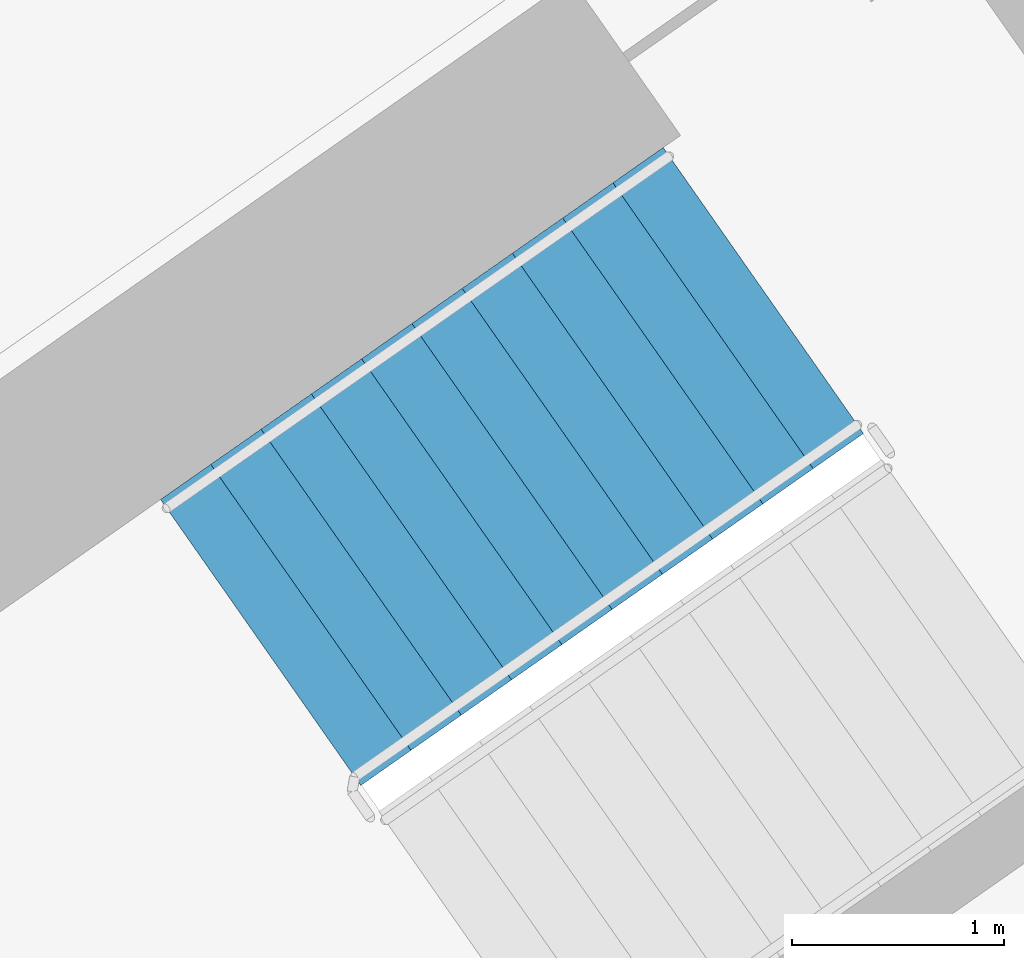
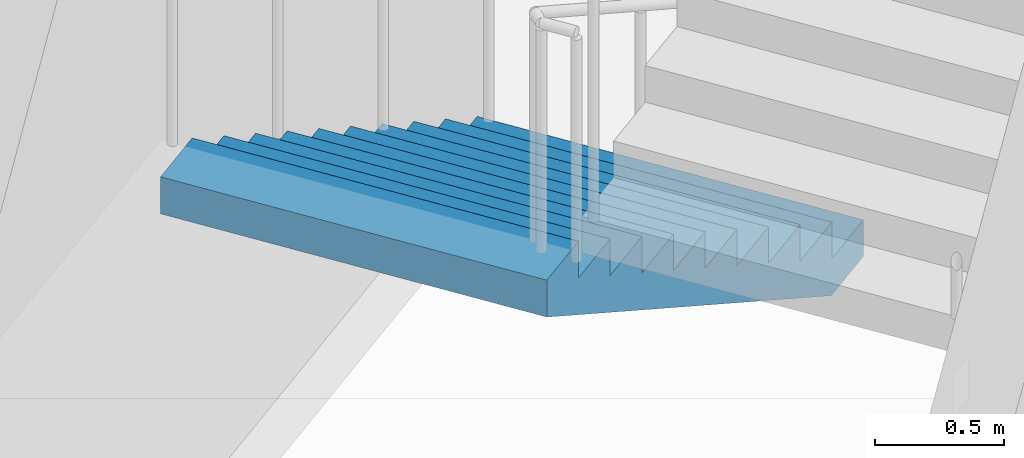
# One storey, part 14 of 31: 1 stair flight, 1 element without a shape of its own.
"""IFC4 building model written with IfcOpenShell, lengths in metres."""

from ifc_helpers import new_model, si_unit, direction, frame, origin, place, context, subcontext, project, spatial, faceted_brep, material, type_object, element, aggregate, save


model = new_model("IFC4")

# Units and contexts
model_context = context("Model", 3, precision=1e-05, world=origin(), true_north=direction((0.0, 1.0)))
body_context = subcontext(model_context, "Body", "Model", "MODEL_VIEW")
ifc_project = project(units=[si_unit("LENGTHUNIT", "METRE"), si_unit("AREAUNIT", "SQUARE_METRE"), si_unit("VOLUMEUNIT", "CUBIC_METRE"), si_unit("PLANEANGLEUNIT", "RADIAN"), si_unit("MASSUNIT", "GRAM", prefix="KILO")], contexts=[model_context])

# Site, building, storey
site_placement = place(None, origin())
site = spatial("IfcSite", under=ifc_project, at=site_placement, CompositionType="ELEMENT")
building_placement = place(site_placement, origin())
building = spatial("IfcBuilding", under=site, at=building_placement, Name="Qamariyya Broadcast Tower", CompositionType="ELEMENT")
storey_placement = place(building_placement, frame((0.0, 0.0, 86.10009765625)))
storey = spatial("IfcBuildingStorey", under=building, at=storey_placement, Name="L18", CompositionType="ELEMENT", Elevation=86.10009765625)

# Stair, stair flight
ifc_material = material(Name="Concrete C50/60", Category="concrete")
stair_type = type_object("IfcStairType", Name="Exit stair 22 risers of 173 mm", PredefinedType="HALF_TURN_STAIR", material=ifc_material)
stair_placement = place(storey_placement, origin())
stair = element("IfcStair", 1, at=stair_placement, inside=storey, type_object=stair_type, Name="L18 Stair E2", PredefinedType="HALF_TURN_STAIR")
stair_flight_type = type_object("IfcStairFlightType", Name="Exit stair flight 11 risers of 173 mm", PredefinedType="STRAIGHT", material=ifc_material)
stair_flight_placement = place(storey_placement, frame((40.558837890625, -47.685302734375, 0.0), z_axis=(0.0, 0.0, 1.0), x_axis=(-0.819152044289, -0.573576436351, 0.0)))
stair_flight = element("IfcStairFlight", 2, at=stair_flight_placement, type_object=stair_flight_type, Name="ST-E2 flight 1", NumberOfRisers=11, NumberOfTreads=10, PredefinedType="STRAIGHT", RiserHeight=0.172727273, TreadLength=0.29, context=body_context, shape_type="Brep", body=[
    faceted_brep([(0.0, 0.824951171875, 0.0), (0.0, 0.824951171875, 0.172607421875), (0.2900390625, 0.824951171875, 0.172607421875), (0.2900390625, 0.824951171875, 0.345458984375), (0.580078125, 0.824951171875, 0.345458984375), (0.580078125, 0.824951171875, 0.51806640625), (0.8701171875, 0.824951171875, 0.51806640625), (0.8701171875, 0.824951171875, 0.69091796875), (1.159912109375, 0.824951171875, 0.69091796875), (1.159912109375, 0.824951171875, 0.863525390625), (1.449951171875, 0.824951171875, 0.863525390625), (1.449951171875, 0.824951171875, 1.036376953125), (1.739990234375, 0.824951171875, 1.036376953125), (1.739990234375, 0.824951171875, 1.208984375), (2.030029296875, 0.824951171875, 1.208984375), (2.030029296875, 0.824951171875, 1.3818359375), (2.320068359375, 0.824951171875, 1.3818359375), (2.320068359375, 0.824951171875, 1.554443359375), (2.610107421875, 0.824951171875, 1.554443359375), (2.610107421875, 0.824951171875, 1.727294921875), (2.89990234375, 0.824951171875, 1.727294921875), (2.89990234375, 0.824951171875, 1.552734375), (0.29296875, 0.824951171875, 0.0), (0.29296875, -0.824951171875, 0.0), (2.89990234375, -0.824951171875, 1.552734375), (2.89990234375, -0.824951171875, 1.727294921875), (2.610107421875, -0.824951171875, 1.727294921875), (2.610107421875, -0.824951171875, 1.554443359375), (2.320068359375, -0.824951171875, 1.554443359375), (2.320068359375, -0.824951171875, 1.3818359375), (2.030029296875, -0.824951171875, 1.3818359375), (2.030029296875, -0.824951171875, 1.208984375), (1.739990234375, -0.824951171875, 1.208984375), (1.739990234375, -0.824951171875, 1.036376953125), (1.449951171875, -0.824951171875, 1.036376953125), (1.449951171875, -0.824951171875, 0.863525390625), (1.159912109375, -0.824951171875, 0.863525390625), (1.159912109375, -0.824951171875, 0.69091796875), (0.8701171875, -0.824951171875, 0.69091796875), (0.8701171875, -0.824951171875, 0.51806640625), (0.580078125, -0.824951171875, 0.51806640625), (0.580078125, -0.824951171875, 0.345458984375), (0.2900390625, -0.824951171875, 0.345458984375), (0.2900390625, -0.824951171875, 0.172607421875), (0.0, -0.824951171875, 0.172607421875), (0.0, -0.824951171875, 0.0), (0.0, 0.10009765625, 0.0), (0.0, 0.086669921875, 0.0), (0.0, 0.0732421875, 0.0), (0.0, 0.06005859375, 0.0), (0.0, 0.046630859375, 0.0), (0.0, 0.033447265625, 0.0), (0.0, 0.02001953125, 0.0), (0.0, 0.006591796875, 0.0), (0.0, -0.006591796875, 0.0), (0.0, -0.02001953125, 0.0), (0.0, -0.033447265625, 0.0), (0.0, -0.046630859375, 0.0), (0.0, -0.06005859375, 0.0), (0.0, -0.0732421875, 0.0), (0.0, -0.086669921875, 0.0), (0.0, -0.10009765625, 0.0), (0.0, -0.10009765625, 0.172607421875), (0.0, -0.086669921875, 0.172607421875), (0.0, -0.0732421875, 0.172607421875), (0.0, -0.06005859375, 0.172607421875), (0.0, -0.046630859375, 0.172607421875), (0.0, -0.033447265625, 0.172607421875), (0.0, -0.02001953125, 0.172607421875), (0.0, -0.006591796875, 0.172607421875), (0.0, 0.006591796875, 0.172607421875), (0.0, 0.02001953125, 0.172607421875), (0.0, 0.033447265625, 0.172607421875), (0.0, 0.046630859375, 0.172607421875), (0.0, 0.06005859375, 0.172607421875), (0.0, 0.0732421875, 0.172607421875), (0.0, 0.086669921875, 0.172607421875), (0.0, 0.10009765625, 0.172607421875), (0.2900390625, -0.10009765625, 0.172607421875), (0.2900390625, -0.086669921875, 0.172607421875), (0.2900390625, -0.0732421875, 0.172607421875), (0.2900390625, -0.06005859375, 0.172607421875), (0.2900390625, -0.046630859375, 0.172607421875), (0.2900390625, -0.033447265625, 0.172607421875), (0.2900390625, -0.02001953125, 0.172607421875), (0.2900390625, -0.006591796875, 0.172607421875), (0.2900390625, 0.006591796875, 0.172607421875), (0.2900390625, 0.02001953125, 0.172607421875), (0.2900390625, 0.033447265625, 0.172607421875), (0.2900390625, 0.046630859375, 0.172607421875), (0.2900390625, 0.06005859375, 0.172607421875), (0.2900390625, 0.0732421875, 0.172607421875), (0.2900390625, 0.086669921875, 0.172607421875), (0.2900390625, 0.10009765625, 0.172607421875), (0.2900390625, -0.10009765625, 0.345458984375), (0.2900390625, -0.086669921875, 0.345458984375), (0.2900390625, -0.0732421875, 0.345458984375), (0.2900390625, -0.06005859375, 0.345458984375), (0.2900390625, -0.046630859375, 0.345458984375), (0.2900390625, -0.033447265625, 0.345458984375), (0.2900390625, -0.02001953125, 0.345458984375), (0.2900390625, -0.006591796875, 0.345458984375), (0.2900390625, 0.006591796875, 0.345458984375), (0.2900390625, 0.02001953125, 0.345458984375), (0.2900390625, 0.033447265625, 0.345458984375), (0.2900390625, 0.046630859375, 0.345458984375), (0.2900390625, 0.06005859375, 0.345458984375), (0.2900390625, 0.0732421875, 0.345458984375), (0.2900390625, 0.086669921875, 0.345458984375), (0.2900390625, 0.10009765625, 0.345458984375), (0.580078125, -0.10009765625, 0.345458984375), (0.580078125, -0.086669921875, 0.345458984375), (0.580078125, -0.0732421875, 0.345458984375), (0.580078125, -0.06005859375, 0.345458984375), (0.580078125, -0.046630859375, 0.345458984375), (0.580078125, -0.033447265625, 0.345458984375), (0.580078125, -0.02001953125, 0.345458984375), (0.580078125, -0.006591796875, 0.345458984375), (0.580078125, 0.006591796875, 0.345458984375), (0.580078125, 0.02001953125, 0.345458984375), (0.580078125, 0.033447265625, 0.345458984375), (0.580078125, 0.046630859375, 0.345458984375), (0.580078125, 0.06005859375, 0.345458984375), (0.580078125, 0.0732421875, 0.345458984375), (0.580078125, 0.086669921875, 0.345458984375), (0.580078125, 0.10009765625, 0.345458984375), (0.580078125, -0.10009765625, 0.51806640625), (0.580078125, -0.086669921875, 0.51806640625), (0.580078125, -0.0732421875, 0.51806640625), (0.580078125, -0.06005859375, 0.51806640625), (0.580078125, -0.046630859375, 0.51806640625), (0.580078125, -0.033447265625, 0.51806640625), (0.580078125, -0.02001953125, 0.51806640625), (0.580078125, -0.006591796875, 0.51806640625), (0.580078125, 0.006591796875, 0.51806640625), (0.580078125, 0.02001953125, 0.51806640625), (0.580078125, 0.033447265625, 0.51806640625), (0.580078125, 0.046630859375, 0.51806640625), (0.580078125, 0.06005859375, 0.51806640625), (0.580078125, 0.0732421875, 0.51806640625), (0.580078125, 0.086669921875, 0.51806640625), (0.580078125, 0.10009765625, 0.51806640625), (0.8701171875, -0.10009765625, 0.51806640625), (0.8701171875, -0.086669921875, 0.51806640625), (0.8701171875, -0.0732421875, 0.51806640625), (0.8701171875, -0.06005859375, 0.51806640625), (0.8701171875, -0.046630859375, 0.51806640625), (0.8701171875, -0.033447265625, 0.51806640625), (0.8701171875, -0.02001953125, 0.51806640625), (0.8701171875, -0.006591796875, 0.51806640625), (0.8701171875, 0.006591796875, 0.51806640625), (0.8701171875, 0.02001953125, 0.51806640625), (0.8701171875, 0.033447265625, 0.51806640625), (0.8701171875, 0.046630859375, 0.51806640625), (0.8701171875, 0.06005859375, 0.51806640625), (0.8701171875, 0.0732421875, 0.51806640625), (0.8701171875, 0.086669921875, 0.51806640625), (0.8701171875, 0.10009765625, 0.51806640625), (0.8701171875, -0.10009765625, 0.69091796875), (0.8701171875, -0.086669921875, 0.69091796875), (0.8701171875, -0.0732421875, 0.69091796875), (0.8701171875, -0.06005859375, 0.69091796875), (0.8701171875, -0.046630859375, 0.69091796875), (0.8701171875, -0.033447265625, 0.69091796875), (0.8701171875, -0.02001953125, 0.69091796875), (0.8701171875, -0.006591796875, 0.69091796875), (0.8701171875, 0.006591796875, 0.69091796875), (0.8701171875, 0.02001953125, 0.69091796875), (0.8701171875, 0.033447265625, 0.69091796875), (0.8701171875, 0.046630859375, 0.69091796875), (0.8701171875, 0.06005859375, 0.69091796875), (0.8701171875, 0.0732421875, 0.69091796875), (0.8701171875, 0.086669921875, 0.69091796875), (0.8701171875, 0.10009765625, 0.69091796875), (1.159912109375, -0.10009765625, 0.69091796875), (1.159912109375, -0.086669921875, 0.69091796875), (1.159912109375, -0.0732421875, 0.69091796875), (1.159912109375, -0.06005859375, 0.69091796875), (1.159912109375, -0.046630859375, 0.69091796875), (1.159912109375, -0.033447265625, 0.69091796875), (1.159912109375, -0.02001953125, 0.69091796875), (1.159912109375, -0.006591796875, 0.69091796875), (1.159912109375, 0.006591796875, 0.69091796875), (1.159912109375, 0.02001953125, 0.69091796875), (1.159912109375, 0.033447265625, 0.69091796875), (1.159912109375, 0.046630859375, 0.69091796875), (1.159912109375, 0.06005859375, 0.69091796875), (1.159912109375, 0.0732421875, 0.69091796875), (1.159912109375, 0.086669921875, 0.69091796875), (1.159912109375, 0.10009765625, 0.69091796875), (1.159912109375, -0.10009765625, 0.863525390625), (1.159912109375, -0.086669921875, 0.863525390625), (1.159912109375, -0.0732421875, 0.863525390625), (1.159912109375, -0.06005859375, 0.863525390625), (1.159912109375, -0.046630859375, 0.863525390625), (1.159912109375, -0.033447265625, 0.863525390625), (1.159912109375, -0.02001953125, 0.863525390625), (1.159912109375, -0.006591796875, 0.863525390625), (1.159912109375, 0.006591796875, 0.863525390625), (1.159912109375, 0.02001953125, 0.863525390625), (1.159912109375, 0.033447265625, 0.863525390625), (1.159912109375, 0.046630859375, 0.863525390625), (1.159912109375, 0.06005859375, 0.863525390625), (1.159912109375, 0.0732421875, 0.863525390625), (1.159912109375, 0.086669921875, 0.863525390625), (1.159912109375, 0.10009765625, 0.863525390625), (1.449951171875, -0.10009765625, 0.863525390625), (1.449951171875, -0.086669921875, 0.863525390625), (1.449951171875, -0.0732421875, 0.863525390625), (1.449951171875, -0.06005859375, 0.863525390625), (1.449951171875, -0.046630859375, 0.863525390625), (1.449951171875, -0.033447265625, 0.863525390625), (1.449951171875, -0.02001953125, 0.863525390625), (1.449951171875, -0.006591796875, 0.863525390625), (1.449951171875, 0.006591796875, 0.863525390625), (1.449951171875, 0.02001953125, 0.863525390625), (1.449951171875, 0.033447265625, 0.863525390625), (1.449951171875, 0.046630859375, 0.863525390625), (1.449951171875, 0.06005859375, 0.863525390625), (1.449951171875, 0.0732421875, 0.863525390625), (1.449951171875, 0.086669921875, 0.863525390625), (1.449951171875, 0.10009765625, 0.863525390625), (1.449951171875, -0.10009765625, 1.036376953125), (1.449951171875, -0.086669921875, 1.036376953125), (1.449951171875, -0.0732421875, 1.036376953125), (1.449951171875, -0.06005859375, 1.036376953125), (1.449951171875, -0.046630859375, 1.036376953125), (1.449951171875, -0.033447265625, 1.036376953125), (1.449951171875, -0.02001953125, 1.036376953125), (1.449951171875, -0.006591796875, 1.036376953125), (1.449951171875, 0.006591796875, 1.036376953125), (1.449951171875, 0.02001953125, 1.036376953125), (1.449951171875, 0.033447265625, 1.036376953125), (1.449951171875, 0.046630859375, 1.036376953125), (1.449951171875, 0.06005859375, 1.036376953125), (1.449951171875, 0.0732421875, 1.036376953125), (1.449951171875, 0.086669921875, 1.036376953125), (1.449951171875, 0.10009765625, 1.036376953125), (1.739990234375, -0.10009765625, 1.036376953125), (1.739990234375, -0.086669921875, 1.036376953125), (1.739990234375, -0.0732421875, 1.036376953125), (1.739990234375, -0.06005859375, 1.036376953125), (1.739990234375, -0.046630859375, 1.036376953125), (1.739990234375, -0.033447265625, 1.036376953125), (1.739990234375, -0.02001953125, 1.036376953125), (1.739990234375, -0.006591796875, 1.036376953125), (1.739990234375, 0.006591796875, 1.036376953125), (1.739990234375, 0.02001953125, 1.036376953125), (1.739990234375, 0.033447265625, 1.036376953125), (1.739990234375, 0.046630859375, 1.036376953125), (1.739990234375, 0.06005859375, 1.036376953125), (1.739990234375, 0.0732421875, 1.036376953125), (1.739990234375, 0.086669921875, 1.036376953125), (1.739990234375, 0.10009765625, 1.036376953125), (1.739990234375, -0.10009765625, 1.208984375), (1.739990234375, -0.086669921875, 1.208984375), (1.739990234375, -0.0732421875, 1.208984375), (1.739990234375, -0.06005859375, 1.208984375), (1.739990234375, -0.046630859375, 1.208984375), (1.739990234375, -0.033447265625, 1.208984375), (1.739990234375, -0.02001953125, 1.208984375), (1.739990234375, -0.006591796875, 1.208984375), (1.739990234375, 0.006591796875, 1.208984375), (1.739990234375, 0.02001953125, 1.208984375), (1.739990234375, 0.033447265625, 1.208984375), (1.739990234375, 0.046630859375, 1.208984375), (1.739990234375, 0.06005859375, 1.208984375), (1.739990234375, 0.0732421875, 1.208984375), (1.739990234375, 0.086669921875, 1.208984375), (1.739990234375, 0.10009765625, 1.208984375), (2.030029296875, -0.10009765625, 1.208984375), (2.030029296875, -0.086669921875, 1.208984375), (2.030029296875, -0.0732421875, 1.208984375), (2.030029296875, -0.06005859375, 1.208984375), (2.030029296875, -0.046630859375, 1.208984375), (2.030029296875, -0.033447265625, 1.208984375), (2.030029296875, -0.02001953125, 1.208984375), (2.030029296875, -0.006591796875, 1.208984375), (2.030029296875, 0.006591796875, 1.208984375), (2.030029296875, 0.02001953125, 1.208984375), (2.030029296875, 0.033447265625, 1.208984375), (2.030029296875, 0.046630859375, 1.208984375), (2.030029296875, 0.06005859375, 1.208984375), (2.030029296875, 0.0732421875, 1.208984375), (2.030029296875, 0.086669921875, 1.208984375), (2.030029296875, 0.10009765625, 1.208984375), (2.030029296875, -0.10009765625, 1.3818359375), (2.030029296875, -0.086669921875, 1.3818359375), (2.030029296875, -0.0732421875, 1.3818359375), (2.030029296875, -0.06005859375, 1.3818359375), (2.030029296875, -0.046630859375, 1.3818359375), (2.030029296875, -0.033447265625, 1.3818359375), (2.030029296875, -0.02001953125, 1.3818359375), (2.030029296875, -0.006591796875, 1.3818359375), (2.030029296875, 0.006591796875, 1.3818359375), (2.030029296875, 0.02001953125, 1.3818359375), (2.030029296875, 0.033447265625, 1.3818359375), (2.030029296875, 0.046630859375, 1.3818359375), (2.030029296875, 0.06005859375, 1.3818359375), (2.030029296875, 0.0732421875, 1.3818359375), (2.030029296875, 0.086669921875, 1.3818359375), (2.030029296875, 0.10009765625, 1.3818359375), (2.320068359375, -0.10009765625, 1.3818359375), (2.320068359375, -0.086669921875, 1.3818359375), (2.320068359375, -0.0732421875, 1.3818359375), (2.320068359375, -0.06005859375, 1.3818359375), (2.320068359375, -0.046630859375, 1.3818359375), (2.320068359375, -0.033447265625, 1.3818359375), (2.320068359375, -0.02001953125, 1.3818359375), (2.320068359375, -0.006591796875, 1.3818359375), (2.320068359375, 0.006591796875, 1.3818359375), (2.320068359375, 0.02001953125, 1.3818359375), (2.320068359375, 0.033447265625, 1.3818359375), (2.320068359375, 0.046630859375, 1.3818359375), (2.320068359375, 0.06005859375, 1.3818359375), (2.320068359375, 0.0732421875, 1.3818359375), (2.320068359375, 0.086669921875, 1.3818359375), (2.320068359375, 0.10009765625, 1.3818359375), (2.320068359375, -0.10009765625, 1.554443359375), (2.320068359375, -0.086669921875, 1.554443359375), (2.320068359375, -0.0732421875, 1.554443359375), (2.320068359375, -0.06005859375, 1.554443359375), (2.320068359375, -0.046630859375, 1.554443359375), (2.320068359375, -0.033447265625, 1.554443359375), (2.320068359375, -0.02001953125, 1.554443359375), (2.320068359375, -0.006591796875, 1.554443359375), (2.320068359375, 0.006591796875, 1.554443359375), (2.320068359375, 0.02001953125, 1.554443359375), (2.320068359375, 0.033447265625, 1.554443359375), (2.320068359375, 0.046630859375, 1.554443359375), (2.320068359375, 0.06005859375, 1.554443359375), (2.320068359375, 0.0732421875, 1.554443359375), (2.320068359375, 0.086669921875, 1.554443359375), (2.320068359375, 0.10009765625, 1.554443359375), (2.610107421875, -0.10009765625, 1.554443359375), (2.610107421875, -0.086669921875, 1.554443359375), (2.610107421875, -0.0732421875, 1.554443359375), (2.610107421875, -0.06005859375, 1.554443359375), (2.610107421875, -0.046630859375, 1.554443359375), (2.610107421875, -0.033447265625, 1.554443359375), (2.610107421875, -0.02001953125, 1.554443359375), (2.610107421875, -0.006591796875, 1.554443359375), (2.610107421875, 0.006591796875, 1.554443359375), (2.610107421875, 0.02001953125, 1.554443359375), (2.610107421875, 0.033447265625, 1.554443359375), (2.610107421875, 0.046630859375, 1.554443359375), (2.610107421875, 0.06005859375, 1.554443359375), (2.610107421875, 0.0732421875, 1.554443359375), (2.610107421875, 0.086669921875, 1.554443359375), (2.610107421875, 0.10009765625, 1.554443359375), (2.610107421875, -0.10009765625, 1.727294921875), (2.610107421875, -0.086669921875, 1.727294921875), (2.610107421875, -0.0732421875, 1.727294921875), (2.610107421875, -0.06005859375, 1.727294921875), (2.610107421875, -0.046630859375, 1.727294921875), (2.610107421875, -0.033447265625, 1.727294921875), (2.610107421875, -0.02001953125, 1.727294921875), (2.610107421875, -0.006591796875, 1.727294921875), (2.610107421875, 0.006591796875, 1.727294921875), (2.610107421875, 0.02001953125, 1.727294921875), (2.610107421875, 0.033447265625, 1.727294921875), (2.610107421875, 0.046630859375, 1.727294921875), (2.610107421875, 0.06005859375, 1.727294921875), (2.610107421875, 0.0732421875, 1.727294921875), (2.610107421875, 0.086669921875, 1.727294921875), (2.610107421875, 0.10009765625, 1.727294921875), (2.89990234375, -0.10009765625, 1.727294921875), (2.89990234375, -0.086669921875, 1.727294921875), (2.89990234375, -0.0732421875, 1.727294921875), (2.89990234375, -0.06005859375, 1.727294921875), (2.89990234375, -0.046630859375, 1.727294921875), (2.89990234375, -0.033447265625, 1.727294921875), (2.89990234375, -0.02001953125, 1.727294921875), (2.89990234375, -0.006591796875, 1.727294921875), (2.89990234375, 0.006591796875, 1.727294921875), (2.89990234375, 0.02001953125, 1.727294921875), (2.89990234375, 0.033447265625, 1.727294921875), (2.89990234375, 0.046630859375, 1.727294921875), (2.89990234375, 0.06005859375, 1.727294921875), (2.89990234375, 0.0732421875, 1.727294921875), (2.89990234375, 0.086669921875, 1.727294921875), (2.89990234375, 0.10009765625, 1.727294921875), (2.89990234375, -0.10009765625, 1.552734375), (2.89990234375, -0.086669921875, 1.552734375), (2.89990234375, -0.0732421875, 1.552734375), (2.89990234375, -0.06005859375, 1.552734375), (2.89990234375, -0.046630859375, 1.552734375), (2.89990234375, -0.033447265625, 1.552734375), (2.89990234375, -0.02001953125, 1.552734375), (2.89990234375, -0.006591796875, 1.552734375), (2.89990234375, 0.006591796875, 1.552734375), (2.89990234375, 0.02001953125, 1.552734375), (2.89990234375, 0.033447265625, 1.552734375), (2.89990234375, 0.046630859375, 1.552734375), (2.89990234375, 0.06005859375, 1.552734375), (2.89990234375, 0.0732421875, 1.552734375), (2.89990234375, 0.086669921875, 1.552734375), (2.89990234375, 0.10009765625, 1.552734375), (0.29296875, -0.10009765625, 0.0), (0.29296875, -0.086669921875, 0.0), (0.29296875, -0.0732421875, 0.0), (0.29296875, -0.06005859375, 0.0), (0.29296875, -0.046630859375, 0.0), (0.29296875, -0.033447265625, 0.0), (0.29296875, -0.02001953125, 0.0), (0.29296875, -0.006591796875, 0.0), (0.29296875, 0.006591796875, 0.0), (0.29296875, 0.02001953125, 0.0), (0.29296875, 0.033447265625, 0.0), (0.29296875, 0.046630859375, 0.0), (0.29296875, 0.06005859375, 0.0), (0.29296875, 0.0732421875, 0.0), (0.29296875, 0.086669921875, 0.0), (0.29296875, 0.10009765625, 0.0)], [[[0, 1, 2, 3, 4, 5, 6, 7, 8, 9, 10, 11, 12, 13, 14, 15, 16, 17, 18, 19, 20, 21, 22]], [[23, 24, 25, 26, 27, 28, 29, 30, 31, 32, 33, 34, 35, 36, 37, 38, 39, 40, 41, 42, 43, 44, 45]], [[0, 46, 47, 48, 49, 50, 51, 52, 53, 54, 55, 56, 57, 58, 59, 60, 61, 45, 44, 62, 63, 64, 65, 66, 67, 68, 69, 70, 71, 72, 73, 74, 75, 76, 77, 1]], [[1, 77, 76, 75, 74, 73, 72, 71, 70, 69, 68, 67, 66, 65, 64, 63, 62, 44, 43, 78, 79, 80, 81, 82, 83, 84, 85, 86, 87, 88, 89, 90, 91, 92, 93, 2]], [[2, 93, 92, 91, 90, 89, 88, 87, 86, 85, 84, 83, 82, 81, 80, 79, 78, 43, 42, 94, 95, 96, 97, 98, 99, 100, 101, 102, 103, 104, 105, 106, 107, 108, 109, 3]], [[3, 109, 108, 107, 106, 105, 104, 103, 102, 101, 100, 99, 98, 97, 96, 95, 94, 42, 41, 110, 111, 112, 113, 114, 115, 116, 117, 118, 119, 120, 121, 122, 123, 124, 125, 4]], [[4, 125, 124, 123, 122, 121, 120, 119, 118, 117, 116, 115, 114, 113, 112, 111, 110, 41, 40, 126, 127, 128, 129, 130, 131, 132, 133, 134, 135, 136, 137, 138, 139, 140, 141, 5]], [[5, 141, 140, 139, 138, 137, 136, 135, 134, 133, 132, 131, 130, 129, 128, 127, 126, 40, 39, 142, 143, 144, 145, 146, 147, 148, 149, 150, 151, 152, 153, 154, 155, 156, 157, 6]], [[6, 157, 156, 155, 154, 153, 152, 151, 150, 149, 148, 147, 146, 145, 144, 143, 142, 39, 38, 158, 159, 160, 161, 162, 163, 164, 165, 166, 167, 168, 169, 170, 171, 172, 173, 7]], [[7, 173, 172, 171, 170, 169, 168, 167, 166, 165, 164, 163, 162, 161, 160, 159, 158, 38, 37, 174, 175, 176, 177, 178, 179, 180, 181, 182, 183, 184, 185, 186, 187, 188, 189, 8]], [[8, 189, 188, 187, 186, 185, 184, 183, 182, 181, 180, 179, 178, 177, 176, 175, 174, 37, 36, 190, 191, 192, 193, 194, 195, 196, 197, 198, 199, 200, 201, 202, 203, 204, 205, 9]], [[9, 205, 204, 203, 202, 201, 200, 199, 198, 197, 196, 195, 194, 193, 192, 191, 190, 36, 35, 206, 207, 208, 209, 210, 211, 212, 213, 214, 215, 216, 217, 218, 219, 220, 221, 10]], [[10, 221, 220, 219, 218, 217, 216, 215, 214, 213, 212, 211, 210, 209, 208, 207, 206, 35, 34, 222, 223, 224, 225, 226, 227, 228, 229, 230, 231, 232, 233, 234, 235, 236, 237, 11]], [[11, 237, 236, 235, 234, 233, 232, 231, 230, 229, 228, 227, 226, 225, 224, 223, 222, 34, 33, 238, 239, 240, 241, 242, 243, 244, 245, 246, 247, 248, 249, 250, 251, 252, 253, 12]], [[12, 253, 252, 251, 250, 249, 248, 247, 246, 245, 244, 243, 242, 241, 240, 239, 238, 33, 32, 254, 255, 256, 257, 258, 259, 260, 261, 262, 263, 264, 265, 266, 267, 268, 269, 13]], [[13, 269, 268, 267, 266, 265, 264, 263, 262, 261, 260, 259, 258, 257, 256, 255, 254, 32, 31, 270, 271, 272, 273, 274, 275, 276, 277, 278, 279, 280, 281, 282, 283, 284, 285, 14]], [[14, 285, 284, 283, 282, 281, 280, 279, 278, 277, 276, 275, 274, 273, 272, 271, 270, 31, 30, 286, 287, 288, 289, 290, 291, 292, 293, 294, 295, 296, 297, 298, 299, 300, 301, 15]], [[15, 301, 300, 299, 298, 297, 296, 295, 294, 293, 292, 291, 290, 289, 288, 287, 286, 30, 29, 302, 303, 304, 305, 306, 307, 308, 309, 310, 311, 312, 313, 314, 315, 316, 317, 16]], [[16, 317, 316, 315, 314, 313, 312, 311, 310, 309, 308, 307, 306, 305, 304, 303, 302, 29, 28, 318, 319, 320, 321, 322, 323, 324, 325, 326, 327, 328, 329, 330, 331, 332, 333, 17]], [[17, 333, 332, 331, 330, 329, 328, 327, 326, 325, 324, 323, 322, 321, 320, 319, 318, 28, 27, 334, 335, 336, 337, 338, 339, 340, 341, 342, 343, 344, 345, 346, 347, 348, 349, 18]], [[18, 349, 348, 347, 346, 345, 344, 343, 342, 341, 340, 339, 338, 337, 336, 335, 334, 27, 26, 350, 351, 352, 353, 354, 355, 356, 357, 358, 359, 360, 361, 362, 363, 364, 365, 19]], [[19, 365, 364, 363, 362, 361, 360, 359, 358, 357, 356, 355, 354, 353, 352, 351, 350, 26, 25, 366, 367, 368, 369, 370, 371, 372, 373, 374, 375, 376, 377, 378, 379, 380, 381, 20]], [[20, 381, 380, 379, 378, 377, 376, 375, 374, 373, 372, 371, 370, 369, 368, 367, 366, 25, 24, 382, 383, 384, 385, 386, 387, 388, 389, 390, 391, 392, 393, 394, 395, 396, 397, 21]], [[21, 397, 396, 395, 394, 393, 392, 391, 390, 389, 388, 387, 386, 385, 384, 383, 382, 24, 23, 398, 399, 400, 401, 402, 403, 404, 405, 406, 407, 408, 409, 410, 411, 412, 413, 22]], [[22, 413, 412, 411, 410, 409, 408, 407, 406, 405, 404, 403, 402, 401, 400, 399, 398, 23, 45, 61, 60, 59, 58, 57, 56, 55, 54, 53, 52, 51, 50, 49, 48, 47, 46, 0]]]),
])
aggregate(stair, [stair_flight])

save(model, "model.ifc")
